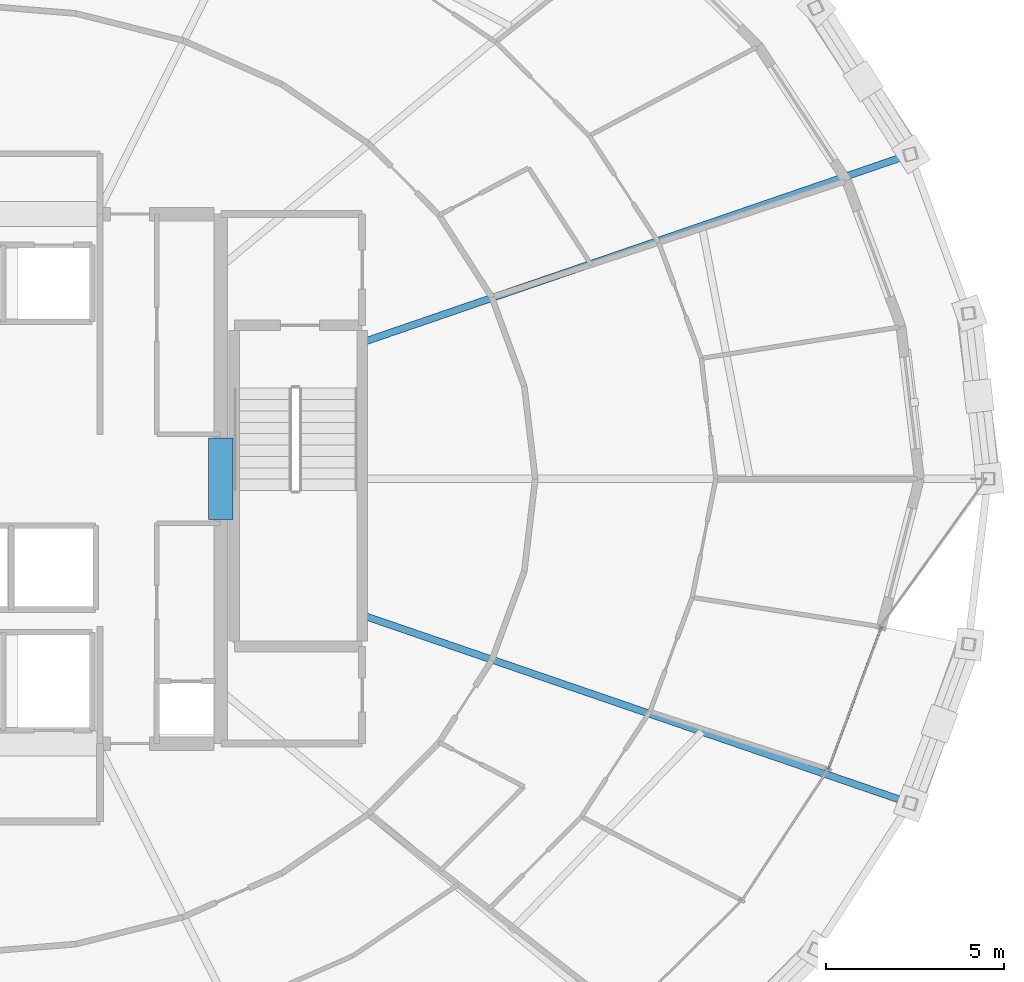
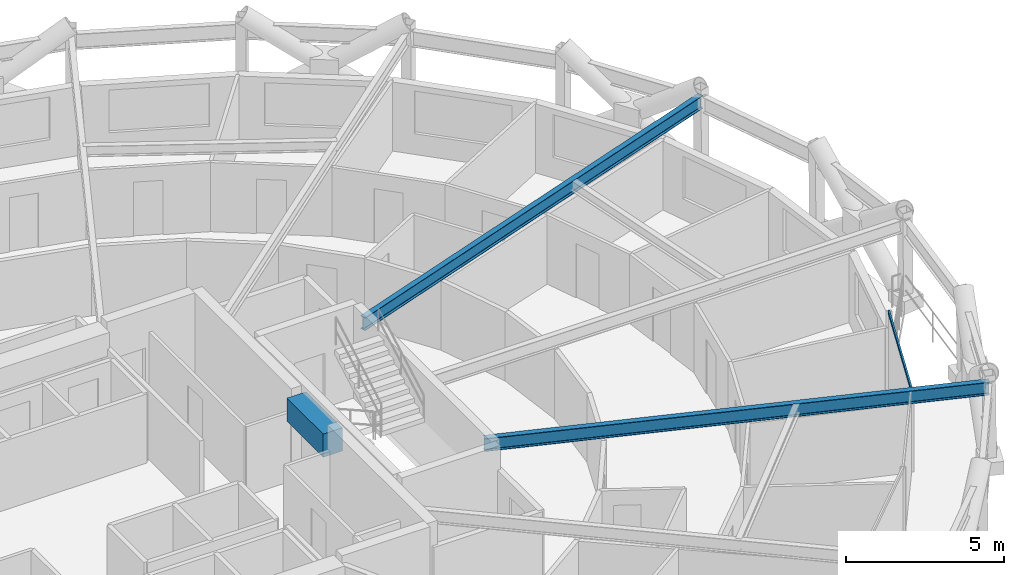
# One storey, part 11 of 23: 3 beams, 1 member, 1 element without a shape of its own.
"""IFC4 building model written with IfcOpenShell, lengths in metres."""

from ifc_helpers import new_model, si_unit, direction, frame, origin, origin_2d, place, context, subcontext, project, spatial, rectangle, hollow_rectangle, i_section, extrude, material, layer, layer_set, material_profile, profile_set, type_object, element, aggregate, save


model = new_model("IFC4")

# Units and contexts
model_context = context("Model", 3, precision=1e-05, world=origin(), true_north=direction((0.0, 1.0)))
body_context = subcontext(model_context, "Body", "Model", "MODEL_VIEW")
ifc_project = project(units=[si_unit("LENGTHUNIT", "METRE"), si_unit("AREAUNIT", "SQUARE_METRE"), si_unit("VOLUMEUNIT", "CUBIC_METRE"), si_unit("PLANEANGLEUNIT", "RADIAN"), si_unit("MASSUNIT", "GRAM", prefix="KILO")], contexts=[model_context])

# Site, building, storey
site_placement = place(None, origin())
site = spatial("IfcSite", under=ifc_project, at=site_placement, CompositionType="ELEMENT")
building_placement = place(site_placement, origin())
building = spatial("IfcBuilding", under=site, at=building_placement, Name="Veldorina Hangang Commons", CompositionType="ELEMENT")
storey_placement = place(building_placement, frame((0.0, 0.0, 102.39990234375)))
storey = spatial("IfcBuildingStorey", under=building, at=storey_placement, Name="L26", CompositionType="ELEMENT", Elevation=102.39990234375)

# Beams
ifc_material_1 = material(Name="Concrete C70/85", Category="concrete")
ifc_material_profile_1 = material_profile(ifc_material_1, rectangle(XDim=0.699951171875, YDim=0.89990234375, at=origin_2d()), Name="RC-CB-700x900")
ifc_profile_set_1 = profile_set([ifc_material_profile_1], Name="Concrete C70/85")
beam_type_1 = type_object("IfcBeamType", Name="BM-CB900", PredefinedType="LINTEL", material=ifc_profile_set_1)
beam_placement = place(storey_placement, frame((39.199951171875, 22.85009765625, 2.85009765625), z_axis=(0.0, 1.0, 0.0), x_axis=(-1.0, 0.0, 0.0)))
element("IfcBeam", 1, at=beam_placement, inside=storey, type_object=beam_type_1, Name="L26 E core coupling lintel beam", PredefinedType="LINTEL", context=body_context, shape_type="SweptSolid", body=[
    extrude(rectangle(XDim=0.699951171875, YDim=0.89990234375, at=origin_2d()), origin(), (0.0, 0.0, 1.0), 2.2998046875),
])
ifc_material_2 = material(Name="Steel SM420-TMC", Category="steel")
ifc_material_profile_2 = material_profile(ifc_material_2, i_section(OverallWidth=0.199951171875, OverallDepth=0.5, WebThickness=0.010009765625, FlangeThickness=0.01611328125, FilletRadius=0.01611328125, at=origin_2d()), Name="H-500x200x10x16")
ifc_profile_set_2 = profile_set([ifc_material_profile_2], Name="Steel SM420-TMC")
beam_type_2 = type_object("IfcBeamType", Name="BM-FG500", PredefinedType="BEAM", material=ifc_profile_set_2)
for number, where, z_axis, x_axis, name in (
    (2, (43.179931640625, 27.8369140625, 3.050048828125), (0.945851377904, 0.324600016816, 0.0), (-0.324600016816, 0.945851377904, 0.0), "L26 radial floor girder 02"),
    (3, (43.179931640625, 20.1630859375, 3.050048828125), (0.945851377904, -0.324600016816, 0.0), (0.324600016816, 0.945851377904, 0.0), "L26 radial floor girder 16"),
):
    element("IfcBeam", number, at=place(storey_placement, frame(where, z_axis=z_axis, x_axis=x_axis)), inside=storey, type_object=beam_type_2, Name=name, PredefinedType="BEAM", context=body_context, shape_type="SweptSolid", body=[
        extrude(i_section(OverallWidth=0.199951171875, OverallDepth=0.5, WebThickness=0.010009765625, FlangeThickness=0.01611328125, FilletRadius=0.01611328125, at=origin_2d()), origin(), (0.0, 0.0, 1.0), 16.300048828125),
    ])

# Curtain wall, member
ifc_material_3 = material(Name="Glass Low-E Triple IGU", Category="glass")
ifc_layer = layer(ifc_material_3, 0.179931640625)
ifc_layer_set = layer_set([ifc_layer], Name="Glass Low-E Triple IGU")
curtain_wall_type = type_object("IfcCurtainWallType", Name="CW-SYS-Z1", PredefinedType="NOTDEFINED", material=ifc_layer_set)
curtain_wall_placement = place(storey_placement, origin())
curtain_wall = element("IfcCurtainWall", 4, at=curtain_wall_placement, inside=storey, type_object=curtain_wall_type, Name="L26 unitised curtain wall CW-L26-R2", PredefinedType="NOTDEFINED")
ifc_material_4 = material(Name="Aluminium Anodized AA6063-T6", Category="aluminium")
ifc_material_profile_3 = material_profile(ifc_material_4, hollow_rectangle(XDim=0.06005859375, YDim=0.139892578125, WallThickness=0.00341796875, at=origin_2d()), Name="ALU-RHS-140x60x3.5")
ifc_profile_set_3 = profile_set([ifc_material_profile_3], Name="Aluminium Anodized AA6063-T6")
member_type = type_object("IfcMemberType", Name="CW-TRN-140", PredefinedType="USERDEFINED", material=ifc_profile_set_3)
member_placement = place(storey_placement, frame((56.297607421875, 15.828369140625, 3.22021484375), z_axis=(0.34999067565, 0.936753183586, 0.0), x_axis=(-0.936753183586, 0.34999067565, 0.0)))
member = element("IfcMember", 5, at=member_placement, type_object=member_type, Name="CW-L26-R2 facet 5 transom 1", ObjectType="TRANSOM", PredefinedType="USERDEFINED", context=body_context, shape_type="SweptSolid", body=[
    extrude(hollow_rectangle(XDim=0.06005859375, YDim=0.139892578125, WallThickness=0.00341796875, at=origin_2d()), origin(), (0.0, 0.0, 1.0), 4.276123046875),
])
aggregate(curtain_wall, [member])

save(model, "model.ifc")
